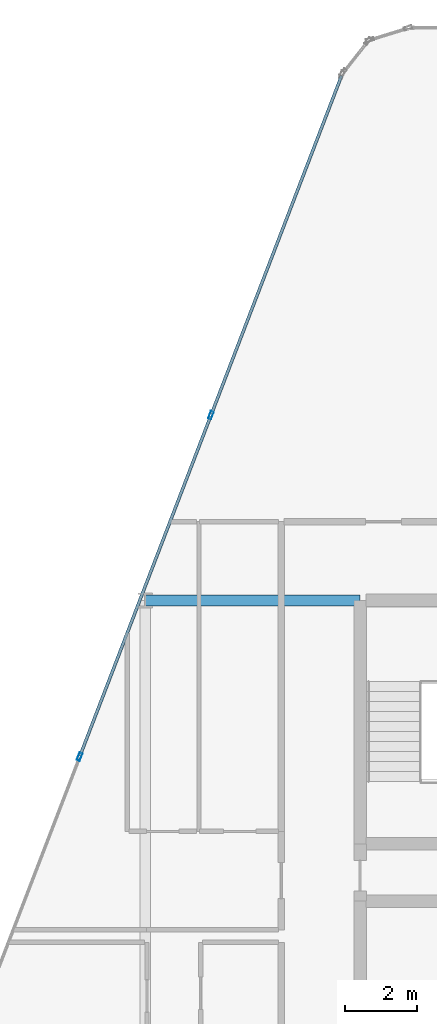
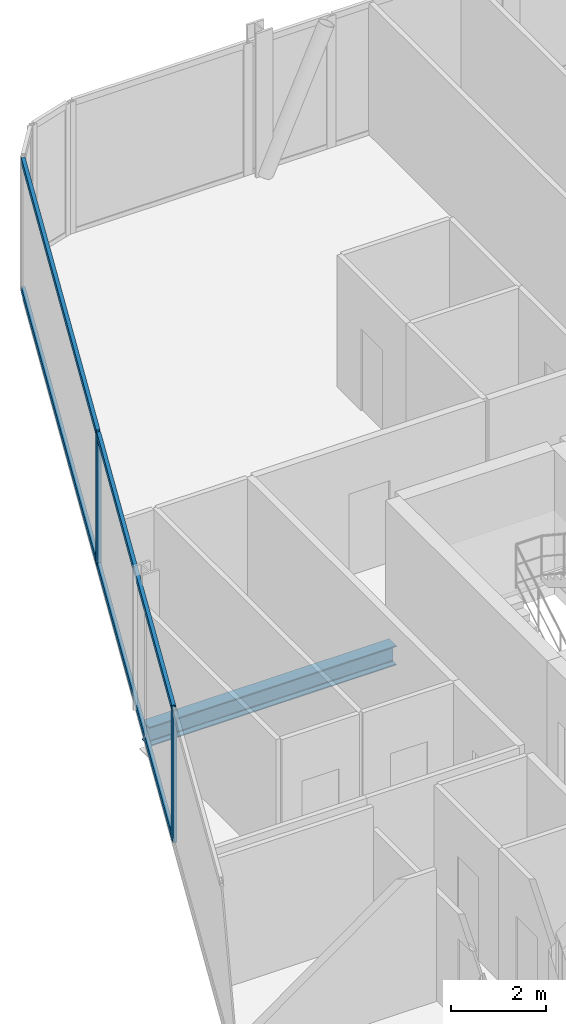
# One storey, part 11 of 33: 6 members, 1 beam, 1 element without a shape of its own.
"""IFC4 building model written with IfcOpenShell, lengths in metres."""

import ifcopenshell
import ifcopenshell.guid

model = None  # the IFC model being written
_history = None  # IfcOwnerHistory: only IFC2X3 demands one
_inside = {}  # id of a spatial element -> (the spatial element, [elements in it])
_under = {}  # id of a project, library or spatial element -> (it, [spatial elements below it])
_declared = {}  # id of a project -> (the project, [libraries it declares])
_typed = {}  # id of a type object -> (the type object, [elements of that type])
_made_of = {}  # id of a material, layer set ... -> (it, [elements and type objects made of it])


def new_model(schema):
    """Start an empty IFC model of exactly this schema.

    Asked for "IFC4X3", IfcOpenShell would pick the latest addendum, in which some entities
    have other attributes; the version numbers below select the first issue.
    IFC2X3 requires an IfcOwnerHistory on every rooted entity: one is made here for all.
    """
    global model, _history
    if schema == "IFC4X3":
        model = ifcopenshell.file(schema_version=(4, 3, 0, 0))
    else:
        model = ifcopenshell.file(schema=schema)
    _inside.clear()
    _under.clear()
    _declared.clear()
    _typed.clear()
    _made_of.clear()
    _history = None
    if model.schema == "IFC2X3":
        org = make("IfcOrganization", Name="unknown")
        user = make(
            "IfcPersonAndOrganization",
            ThePerson=make("IfcPerson", FamilyName="unknown"),
            TheOrganization=org,
        )
        app = make(
            "IfcApplication",
            ApplicationDeveloper=org,
            Version="unknown",
            ApplicationFullName="unknown",
            ApplicationIdentifier="unknown",
        )
        _history = make(
            "IfcOwnerHistory",
            OwningUser=user,
            OwningApplication=app,
            ChangeAction="ADDED",
            CreationDate=0,
        )
    return model


def make(cls, **values):
    """One entity of the class cls with the attributes given. An attribute that is None is left unset."""
    return model.create_entity(
        cls, **{name: value for name, value in values.items() if value is not None}
    )


def rooted(cls, **values):
    """An entity with a GlobalId (a new one), such as an element, a storey or a relation."""
    return make(cls, GlobalId=ifcopenshell.guid.new(), OwnerHistory=_history, **values)


def si_unit(unit_type, name, prefix=None):
    """IfcSIUnit, for example si_unit("LENGTHUNIT", "METRE", prefix="MILLI")."""
    return make("IfcSIUnit", UnitType=unit_type, Prefix=prefix, Name=name)


def assignment(units):
    """IfcUnitAssignment: the units of a project."""
    return None if units is None else make("IfcUnitAssignment", Units=units)


def point(xyz):
    """IfcCartesianPoint."""
    return None if xyz is None else make("IfcCartesianPoint", Coordinates=xyz)


def direction(xyz):
    """IfcDirection."""
    return None if xyz is None else make("IfcDirection", DirectionRatios=xyz)


def frame(location, z_axis=None, x_axis=None):
    """IfcAxis2Placement3D, a coordinate frame: its origin and axes. An axis left out is left unset."""
    return make(
        "IfcAxis2Placement3D",
        Location=point(location),
        Axis=direction(z_axis),
        RefDirection=direction(x_axis),
    )


def frame_2d(location, x_axis=None):
    """IfcAxis2Placement2D, a coordinate frame in the plane: its origin and x axis."""
    return make(
        "IfcAxis2Placement2D", Location=point(location), RefDirection=direction(x_axis)
    )


def origin():
    """The frame at (0, 0, 0) with its axes left unset."""
    return frame((0.0, 0.0, 0.0))


def origin_2d():
    """The frame at (0, 0) in the plane with its x axis left unset."""
    return frame_2d((0.0, 0.0))


def place(relative_to, where):
    """IfcLocalPlacement: puts the frame where relative to a parent placement (None: the world)."""
    return make(
        "IfcLocalPlacement", PlacementRelTo=relative_to, RelativePlacement=where
    )


def context(
    kind, dimensions, precision=None, world=None, true_north=None, identifier=None
):
    """IfcGeometricRepresentationContext, for example the 3D "Model" context."""
    return make(
        "IfcGeometricRepresentationContext",
        ContextIdentifier=identifier,
        ContextType=kind,
        CoordinateSpaceDimension=dimensions,
        Precision=precision,
        WorldCoordinateSystem=world,
        TrueNorth=true_north,
    )


def subcontext(parent, identifier, kind, view, scale=None):
    """IfcGeometricRepresentationSubContext, for example "Body" below "Model"."""
    return make(
        "IfcGeometricRepresentationSubContext",
        ContextIdentifier=identifier,
        ContextType=kind,
        ParentContext=parent,
        TargetScale=scale,
        TargetView=view,
    )


def project(units=None, contexts=None):
    """IfcProject with its units and contexts."""
    return rooted(
        "IfcProject",
        Name="project",
        RepresentationContexts=contexts,
        UnitsInContext=assignment(units),
    )


def spatial(cls, under=None, at=None, **own):
    """A site, building, storey or space (cls), placed at a placement, below another one or the project."""
    s = rooted(cls, ObjectPlacement=at, **own)
    if under is not None:
        _under.setdefault(under.id(), (under, []))[1].append(s)
    return s


def profile(cls, at=None, kind="AREA", **sizes):
    """A parametric profile (cls). Its sizes go by their IFC names, for example OverallWidth=200.0."""
    return make(cls, ProfileType=kind, Position=at, **sizes)


def hollow_rectangle(**sizes):
    """IfcRectangleHollowProfileDef."""
    return profile("IfcRectangleHollowProfileDef", **sizes)


def i_section(**sizes):
    """IfcIShapeProfileDef."""
    return profile("IfcIShapeProfileDef", **sizes)


def extrude(swept, where, along, depth):
    """IfcExtrudedAreaSolid: the profile swept, set in the frame where, extruded along a direction by depth."""
    return make(
        "IfcExtrudedAreaSolid",
        SweptArea=swept,
        Position=where,
        ExtrudedDirection=direction(along),
        Depth=depth,
    )


def shape(context_of_items, identifier, shape_type, items):
    """IfcShapeRepresentation: the items that make up one representation, for example the "Body"."""
    return make(
        "IfcShapeRepresentation",
        ContextOfItems=context_of_items,
        RepresentationIdentifier=identifier,
        RepresentationType=shape_type,
        Items=items,
    )


def material(Name=None, Category=None):
    """IfcMaterial."""
    return make("IfcMaterial", Name=Name, Category=Category)


def layer(
    of_material, thickness, ventilated=None, Name=None, Category=None, Priority=None
):
    """IfcMaterialLayer: one layer of a wall or slab, of a material (None: an air gap)."""
    return make(
        "IfcMaterialLayer",
        Material=of_material,
        LayerThickness=thickness,
        IsVentilated=ventilated,
        Name=Name,
        Category=Category,
        Priority=Priority,
    )


def layer_set(layers, Name=None):
    """IfcMaterialLayerSet."""
    return make("IfcMaterialLayerSet", MaterialLayers=layers, LayerSetName=Name)


def material_profile(
    of_material, cross_section, Name=None, Category=None, Priority=None
):
    """IfcMaterialProfile: a cross section and its material."""
    return make(
        "IfcMaterialProfile",
        Name=Name,
        Material=of_material,
        Profile=cross_section,
        Priority=Priority,
        Category=Category,
    )


def profile_set(profiles, Name=None, composite=None):
    """IfcMaterialProfileSet."""
    return make(
        "IfcMaterialProfileSet",
        Name=Name,
        MaterialProfiles=profiles,
        CompositeProfile=composite,
    )


def made_of(thing, what):
    """Note that an element or type object is made of a material, layer set ...; save() writes the relation."""
    if what is not None:
        _made_of.setdefault(what.id(), (what, []))[1].append(thing)
    return thing


def type_object(cls, material=None, **own):
    """A type object (cls), such as IfcWallType, which elements share."""
    return made_of(rooted(cls, **own), material)


def element(
    cls,
    number,
    at=None,
    inside=None,
    cuts=None,
    type_object=None,
    material=None,
    context=None,
    identifier="Body",
    shape_type=None,
    held_by="IfcProductDefinitionShape",
    body=None,
    shapes=None,
    **own,
):
    """One element of the class cls, such as IfcWall. Its Tag is "e" and its number.

    at: its placement. inside: the storey or other place that contains it. cuts: it is an
    opening in that element (IfcRelVoidsElement). A single representation is given by context,
    identifier, shape_type and body (its items); several are given by shapes. held_by: the class
    of the entity that holds the representations. save() writes the other relations.
    """
    e = rooted(cls, Tag="e%d" % number, ObjectPlacement=at, **own)
    if body is not None:
        shapes = [shape(context, identifier, shape_type, body)]
    if shapes is not None:
        e.Representation = make(held_by, Representations=shapes)
    if inside is not None:
        _inside.setdefault(inside.id(), (inside, []))[1].append(e)
    if cuts is not None:
        rooted(
            "IfcRelVoidsElement", RelatingBuildingElement=cuts, RelatedOpeningElement=e
        )
    if type_object is not None:
        _typed.setdefault(type_object.id(), (type_object, []))[1].append(e)
    return made_of(e, material)


def aggregate(whole, parts):
    """IfcRelAggregates: a whole, such as a stair, and the parts it consists of."""
    return rooted("IfcRelAggregates", RelatingObject=whole, RelatedObjects=parts)


def save(model, path):
    """Write the relations noted so far, then the file.

    IfcRelAggregates (storeys below a building ...), IfcRelContainedInSpatialStructure (elements
    in a storey), IfcRelDefinesByType, IfcRelAssociatesMaterial and IfcRelDeclares: one each for
    every whole, place, type object, material and project.
    """
    for whole, parts in _under.values():
        aggregate(whole, parts)
    for where, things in _inside.values():
        rooted(
            "IfcRelContainedInSpatialStructure",
            RelatedElements=things,
            RelatingStructure=where,
        )
    for kind, things in _typed.values():
        rooted("IfcRelDefinesByType", RelatedObjects=things, RelatingType=kind)
    for what, things in _made_of.values():
        rooted("IfcRelAssociatesMaterial", RelatedObjects=things, RelatingMaterial=what)
    for by, libraries in _declared.values():
        rooted("IfcRelDeclares", RelatingContext=by, RelatedDefinitions=libraries)
    model.write(path)


model = new_model("IFC4")

# Units and contexts
model_context = context("Model", 3, precision=1e-05, world=origin(), true_north=direction((0.0, 1.0)))
body_context = subcontext(model_context, "Body", "Model", "MODEL_VIEW")
ifc_project = project(units=[si_unit("LENGTHUNIT", "METRE"), si_unit("AREAUNIT", "SQUARE_METRE"), si_unit("VOLUMEUNIT", "CUBIC_METRE"), si_unit("PLANEANGLEUNIT", "RADIAN"), si_unit("MASSUNIT", "GRAM", prefix="KILO")], contexts=[model_context])

# Site, building, storey
site_placement = place(None, origin())
site = spatial("IfcSite", under=ifc_project, at=site_placement, CompositionType="ELEMENT")
building_placement = place(site_placement, origin())
building = spatial("IfcBuilding", under=site, at=building_placement, Name="Keshet Zoharim Tower", CompositionType="ELEMENT")
storey_placement = place(building_placement, frame((0.0, 0.0, 27.699951171875)))
storey = spatial("IfcBuildingStorey", under=building, at=storey_placement, Name="L05", CompositionType="ELEMENT", Elevation=27.699951171875)

# Beam
ifc_material_1 = material(Name="Steel S355", Category="steel")
ifc_material_profile_1 = material_profile(ifc_material_1, i_section(OverallWidth=0.300048828125, OverallDepth=0.5, WebThickness=0.014404296875, FlangeThickness=0.028076171875, FilletRadius=0.027099609375, at=origin_2d()), Name="HEB500")
ifc_profile_set_1 = profile_set([ifc_material_profile_1], Name="Steel S355")
beam_type = type_object("IfcBeamType", Name="BM-WEB-HB500", PredefinedType="BEAM", material=ifc_profile_set_1)
beam_placement = place(storey_placement, frame((9.0, 37.89990234375, -0.56494140625), z_axis=(1.0, 0.0, 0.0), x_axis=(0.0, 1.0, 0.0)))
element("IfcBeam", 1, at=beam_placement, inside=storey, type_object=beam_type, Name="L05 Primary Girder X-028", PredefinedType="BEAM", context=body_context, shape_type="SweptSolid", body=[
    extrude(i_section(OverallWidth=0.300048828125, OverallDepth=0.5, WebThickness=0.014404296875, FlangeThickness=0.028076171875, FilletRadius=0.027099609375, at=origin_2d()), origin(), (0.0, 0.0, 1.0), 6.0),
])

# Curtain wall, members
ifc_material_2 = material(Name="Aluminium 6063-T6", Category="aluminium")
ifc_layer = layer(ifc_material_2, 0.179931640625)
ifc_layer_set = layer_set([ifc_layer], Name="Aluminium 6063-T6")
curtain_wall_type = type_object("IfcCurtainWallType", Name="CW-SYS-01", PredefinedType="NOTDEFINED", material=ifc_layer_set)
curtain_wall_placement = place(storey_placement, origin())
curtain_wall = element("IfcCurtainWall", 2, at=curtain_wall_placement, inside=storey, type_object=curtain_wall_type, Name="L05 Unitised Curtain Wall 04", PredefinedType="NOTDEFINED")
ifc_material_profile_2 = material_profile(ifc_material_2, hollow_rectangle(XDim=0.090087890625, YDim=0.219970703125, WallThickness=0.0048828125, at=origin_2d()), Name="MUL-90x220")
ifc_profile_set_2 = profile_set([ifc_material_profile_2], Name="Aluminium 6063-T6")
member_type_1 = type_object("IfcMemberType", Name="CWM-M22", PredefinedType="MULLION", material=ifc_profile_set_2)
member_1_placement = place(storey_placement, frame((7.1669921875, 33.53466796875, 0.0), z_axis=(0.0, 0.0, 1.0), x_axis=(-0.933341404361, 0.358990003907, 0.0)))
member_1 = element("IfcMember", 3, at=member_1_placement, type_object=member_type_1, Name="CW-01 mullion 2", PredefinedType="MULLION", context=body_context, shape_type="SweptSolid", body=[
    extrude(hollow_rectangle(XDim=0.090087890625, YDim=0.219970703125, WallThickness=0.0048828125, at=origin_2d()), origin(), (0.0, 0.0, 1.0), 3.385009765625),
])
member_2_placement = place(storey_placement, frame((10.8369140625, 43.076416015625, 0.0), z_axis=(0.0, 0.0, 1.0), x_axis=(-0.933341404361, 0.358990003907, 0.0)))
member_2 = element("IfcMember", 4, at=member_2_placement, type_object=member_type_1, Name="CW-01 mullion 3", PredefinedType="MULLION", context=body_context, shape_type="SweptSolid", body=[
    extrude(hollow_rectangle(XDim=0.090087890625, YDim=0.219970703125, WallThickness=0.0048828125, at=origin_2d()), origin(), (0.0, 0.0, 1.0), 3.385009765625),
])
ifc_material_profile_3 = material_profile(ifc_material_2, hollow_rectangle(XDim=0.0849609375, YDim=0.159912109375, WallThickness=0.00439453125, at=origin_2d()), Name="TRN-85x160")
ifc_profile_set_3 = profile_set([ifc_material_profile_3], Name="Aluminium 6063-T6")
member_type_2 = type_object("IfcMemberType", Name="CWT-T16", PredefinedType="USERDEFINED", material=ifc_profile_set_3)
member_3_placement = place(storey_placement, frame((7.179443359375, 33.5673828125, 0.03515625), z_axis=(0.359003248899, 0.933336309848, 0.0), x_axis=(-0.933336309848, 0.359003248899, 0.0)))
member_3 = element("IfcMember", 5, at=member_3_placement, type_object=member_type_2, Name="CW-01 transom 2.1", ObjectType="TRANSOM", PredefinedType="USERDEFINED", context=body_context, shape_type="SweptSolid", body=[
    extrude(hollow_rectangle(XDim=0.0849609375, YDim=0.159912109375, WallThickness=0.00439453125, at=origin_2d()), origin(), (0.0, 0.0, 1.0), 10.153076171875),
])
member_4_placement = place(storey_placement, frame((7.179443359375, 33.5673828125, 3.35009765625), z_axis=(0.359003248899, 0.933336309848, 0.0), x_axis=(-0.933336309848, 0.359003248899, 0.0)))
member_4 = element("IfcMember", 6, at=member_4_placement, type_object=member_type_2, Name="CW-01 transom 2.2", ObjectType="TRANSOM", PredefinedType="USERDEFINED", context=body_context, shape_type="SweptSolid", body=[
    extrude(hollow_rectangle(XDim=0.0849609375, YDim=0.159912109375, WallThickness=0.00439453125, at=origin_2d()), origin(), (0.0, 0.0, 1.0), 10.153076171875),
])
member_5_placement = place(storey_placement, frame((10.849609375, 43.10888671875, 0.03515625), z_axis=(0.358985546764, 0.933343118694, 0.0), x_axis=(-0.933343118694, 0.358985546764, 0.0)))
member_5 = element("IfcMember", 7, at=member_5_placement, type_object=member_type_2, Name="CW-01 transom 3.1", ObjectType="TRANSOM", PredefinedType="USERDEFINED", context=body_context, shape_type="SweptSolid", body=[
    extrude(hollow_rectangle(XDim=0.0849609375, YDim=0.159912109375, WallThickness=0.00439453125, at=origin_2d()), origin(), (0.0, 0.0, 1.0), 10.118408203125),
])
member_6_placement = place(storey_placement, frame((10.849609375, 43.10888671875, 3.35009765625), z_axis=(0.358985546764, 0.933343118694, 0.0), x_axis=(-0.933343118694, 0.358985546764, 0.0)))
member_6 = element("IfcMember", 8, at=member_6_placement, type_object=member_type_2, Name="CW-01 transom 3.2", ObjectType="TRANSOM", PredefinedType="USERDEFINED", context=body_context, shape_type="SweptSolid", body=[
    extrude(hollow_rectangle(XDim=0.0849609375, YDim=0.159912109375, WallThickness=0.00439453125, at=origin_2d()), origin(), (0.0, 0.0, 1.0), 10.118408203125),
])
aggregate(curtain_wall, [member_1, member_2, member_3, member_4, member_5, member_6])

save(model, "model.ifc")
